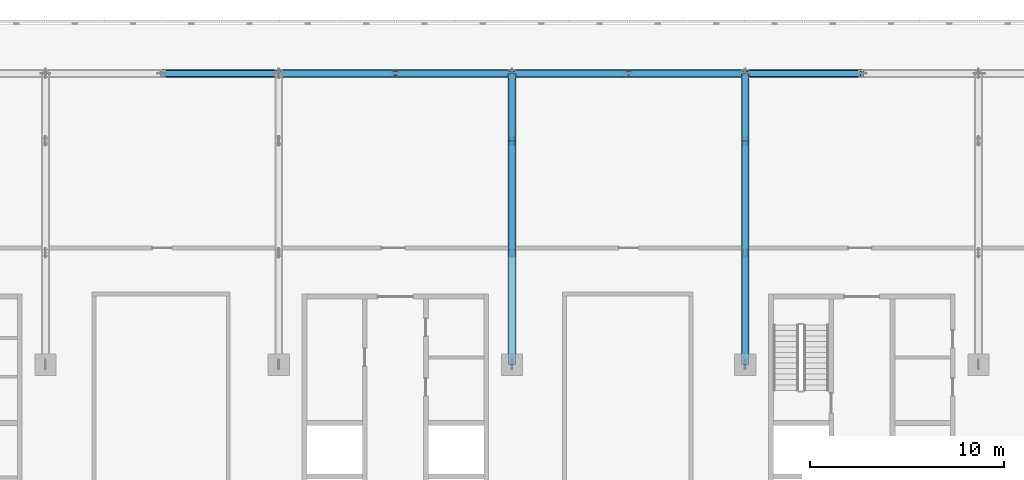
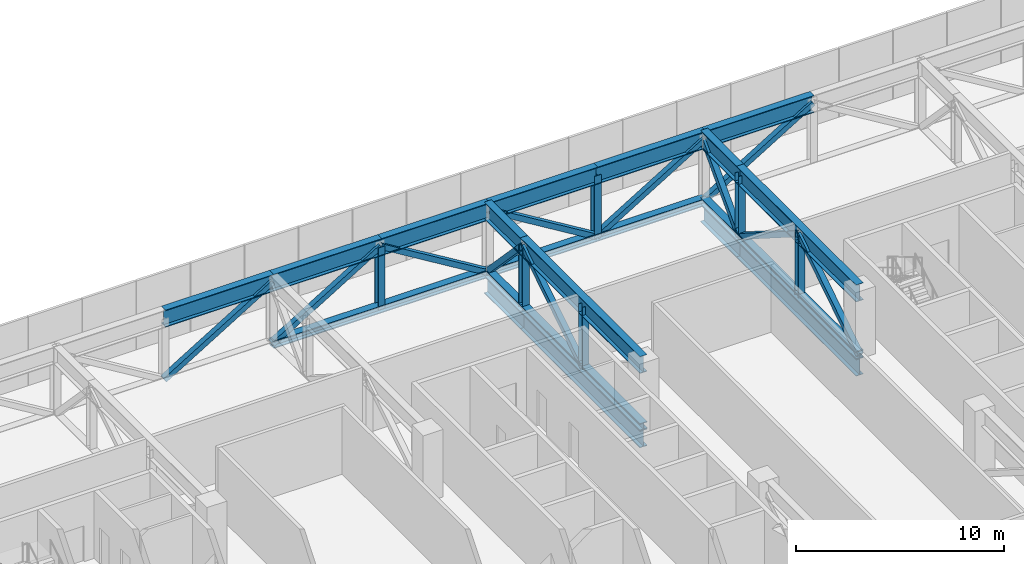
# One storey, part 9 of 28: 33 members, 4 beams.
"""IFC4 building model written with IfcOpenShell, lengths in metres."""

import ifcopenshell
import ifcopenshell.guid

model = None  # the IFC model being written
_history = None  # IfcOwnerHistory: only IFC2X3 demands one
_inside = {}  # id of a spatial element -> (the spatial element, [elements in it])
_under = {}  # id of a project, library or spatial element -> (it, [spatial elements below it])
_declared = {}  # id of a project -> (the project, [libraries it declares])
_typed = {}  # id of a type object -> (the type object, [elements of that type])
_made_of = {}  # id of a material, layer set ... -> (it, [elements and type objects made of it])


def new_model(schema):
    """Start an empty IFC model of exactly this schema.

    Asked for "IFC4X3", IfcOpenShell would pick the latest addendum, in which some entities
    have other attributes; the version numbers below select the first issue.
    IFC2X3 requires an IfcOwnerHistory on every rooted entity: one is made here for all.
    """
    global model, _history
    if schema == "IFC4X3":
        model = ifcopenshell.file(schema_version=(4, 3, 0, 0))
    else:
        model = ifcopenshell.file(schema=schema)
    _inside.clear()
    _under.clear()
    _declared.clear()
    _typed.clear()
    _made_of.clear()
    _history = None
    if model.schema == "IFC2X3":
        org = make("IfcOrganization", Name="unknown")
        user = make(
            "IfcPersonAndOrganization",
            ThePerson=make("IfcPerson", FamilyName="unknown"),
            TheOrganization=org,
        )
        app = make(
            "IfcApplication",
            ApplicationDeveloper=org,
            Version="unknown",
            ApplicationFullName="unknown",
            ApplicationIdentifier="unknown",
        )
        _history = make(
            "IfcOwnerHistory",
            OwningUser=user,
            OwningApplication=app,
            ChangeAction="ADDED",
            CreationDate=0,
        )
    return model


def make(cls, **values):
    """One entity of the class cls with the attributes given. An attribute that is None is left unset."""
    return model.create_entity(
        cls, **{name: value for name, value in values.items() if value is not None}
    )


def rooted(cls, **values):
    """An entity with a GlobalId (a new one), such as an element, a storey or a relation."""
    return make(cls, GlobalId=ifcopenshell.guid.new(), OwnerHistory=_history, **values)


def si_unit(unit_type, name, prefix=None):
    """IfcSIUnit, for example si_unit("LENGTHUNIT", "METRE", prefix="MILLI")."""
    return make("IfcSIUnit", UnitType=unit_type, Prefix=prefix, Name=name)


def assignment(units):
    """IfcUnitAssignment: the units of a project."""
    return None if units is None else make("IfcUnitAssignment", Units=units)


def point(xyz):
    """IfcCartesianPoint."""
    return None if xyz is None else make("IfcCartesianPoint", Coordinates=xyz)


def direction(xyz):
    """IfcDirection."""
    return None if xyz is None else make("IfcDirection", DirectionRatios=xyz)


def frame(location, z_axis=None, x_axis=None):
    """IfcAxis2Placement3D, a coordinate frame: its origin and axes. An axis left out is left unset."""
    return make(
        "IfcAxis2Placement3D",
        Location=point(location),
        Axis=direction(z_axis),
        RefDirection=direction(x_axis),
    )


def frame_2d(location, x_axis=None):
    """IfcAxis2Placement2D, a coordinate frame in the plane: its origin and x axis."""
    return make(
        "IfcAxis2Placement2D", Location=point(location), RefDirection=direction(x_axis)
    )


def origin():
    """The frame at (0, 0, 0) with its axes left unset."""
    return frame((0.0, 0.0, 0.0))


def origin_2d():
    """The frame at (0, 0) in the plane with its x axis left unset."""
    return frame_2d((0.0, 0.0))


def place(relative_to, where):
    """IfcLocalPlacement: puts the frame where relative to a parent placement (None: the world)."""
    return make(
        "IfcLocalPlacement", PlacementRelTo=relative_to, RelativePlacement=where
    )


def context(
    kind, dimensions, precision=None, world=None, true_north=None, identifier=None
):
    """IfcGeometricRepresentationContext, for example the 3D "Model" context."""
    return make(
        "IfcGeometricRepresentationContext",
        ContextIdentifier=identifier,
        ContextType=kind,
        CoordinateSpaceDimension=dimensions,
        Precision=precision,
        WorldCoordinateSystem=world,
        TrueNorth=true_north,
    )


def subcontext(parent, identifier, kind, view, scale=None):
    """IfcGeometricRepresentationSubContext, for example "Body" below "Model"."""
    return make(
        "IfcGeometricRepresentationSubContext",
        ContextIdentifier=identifier,
        ContextType=kind,
        ParentContext=parent,
        TargetScale=scale,
        TargetView=view,
    )


def project(units=None, contexts=None):
    """IfcProject with its units and contexts."""
    return rooted(
        "IfcProject",
        Name="project",
        RepresentationContexts=contexts,
        UnitsInContext=assignment(units),
    )


def spatial(cls, under=None, at=None, **own):
    """A site, building, storey or space (cls), placed at a placement, below another one or the project."""
    s = rooted(cls, ObjectPlacement=at, **own)
    if under is not None:
        _under.setdefault(under.id(), (under, []))[1].append(s)
    return s


def profile(cls, at=None, kind="AREA", **sizes):
    """A parametric profile (cls). Its sizes go by their IFC names, for example OverallWidth=200.0."""
    return make(cls, ProfileType=kind, Position=at, **sizes)


def hollow_rectangle(**sizes):
    """IfcRectangleHollowProfileDef."""
    return profile("IfcRectangleHollowProfileDef", **sizes)


def i_section(**sizes):
    """IfcIShapeProfileDef."""
    return profile("IfcIShapeProfileDef", **sizes)


def extrude(swept, where, along, depth):
    """IfcExtrudedAreaSolid: the profile swept, set in the frame where, extruded along a direction by depth."""
    return make(
        "IfcExtrudedAreaSolid",
        SweptArea=swept,
        Position=where,
        ExtrudedDirection=direction(along),
        Depth=depth,
    )


def shape(context_of_items, identifier, shape_type, items):
    """IfcShapeRepresentation: the items that make up one representation, for example the "Body"."""
    return make(
        "IfcShapeRepresentation",
        ContextOfItems=context_of_items,
        RepresentationIdentifier=identifier,
        RepresentationType=shape_type,
        Items=items,
    )


def material(Name=None, Category=None):
    """IfcMaterial."""
    return make("IfcMaterial", Name=Name, Category=Category)


def material_profile(
    of_material, cross_section, Name=None, Category=None, Priority=None
):
    """IfcMaterialProfile: a cross section and its material."""
    return make(
        "IfcMaterialProfile",
        Name=Name,
        Material=of_material,
        Profile=cross_section,
        Priority=Priority,
        Category=Category,
    )


def profile_set(profiles, Name=None, composite=None):
    """IfcMaterialProfileSet."""
    return make(
        "IfcMaterialProfileSet",
        Name=Name,
        MaterialProfiles=profiles,
        CompositeProfile=composite,
    )


def made_of(thing, what):
    """Note that an element or type object is made of a material, layer set ...; save() writes the relation."""
    if what is not None:
        _made_of.setdefault(what.id(), (what, []))[1].append(thing)
    return thing


def type_object(cls, material=None, **own):
    """A type object (cls), such as IfcWallType, which elements share."""
    return made_of(rooted(cls, **own), material)


def element(
    cls,
    number,
    at=None,
    inside=None,
    cuts=None,
    type_object=None,
    material=None,
    context=None,
    identifier="Body",
    shape_type=None,
    held_by="IfcProductDefinitionShape",
    body=None,
    shapes=None,
    **own,
):
    """One element of the class cls, such as IfcWall. Its Tag is "e" and its number.

    at: its placement. inside: the storey or other place that contains it. cuts: it is an
    opening in that element (IfcRelVoidsElement). A single representation is given by context,
    identifier, shape_type and body (its items); several are given by shapes. held_by: the class
    of the entity that holds the representations. save() writes the other relations.
    """
    e = rooted(cls, Tag="e%d" % number, ObjectPlacement=at, **own)
    if body is not None:
        shapes = [shape(context, identifier, shape_type, body)]
    if shapes is not None:
        e.Representation = make(held_by, Representations=shapes)
    if inside is not None:
        _inside.setdefault(inside.id(), (inside, []))[1].append(e)
    if cuts is not None:
        rooted(
            "IfcRelVoidsElement", RelatingBuildingElement=cuts, RelatedOpeningElement=e
        )
    if type_object is not None:
        _typed.setdefault(type_object.id(), (type_object, []))[1].append(e)
    return made_of(e, material)


def aggregate(whole, parts):
    """IfcRelAggregates: a whole, such as a stair, and the parts it consists of."""
    return rooted("IfcRelAggregates", RelatingObject=whole, RelatedObjects=parts)


def save(model, path):
    """Write the relations noted so far, then the file.

    IfcRelAggregates (storeys below a building ...), IfcRelContainedInSpatialStructure (elements
    in a storey), IfcRelDefinesByType, IfcRelAssociatesMaterial and IfcRelDeclares: one each for
    every whole, place, type object, material and project.
    """
    for whole, parts in _under.values():
        aggregate(whole, parts)
    for where, things in _inside.values():
        rooted(
            "IfcRelContainedInSpatialStructure",
            RelatedElements=things,
            RelatingStructure=where,
        )
    for kind, things in _typed.values():
        rooted("IfcRelDefinesByType", RelatedObjects=things, RelatingType=kind)
    for what, things in _made_of.values():
        rooted("IfcRelAssociatesMaterial", RelatedObjects=things, RelatingMaterial=what)
    for by, libraries in _declared.values():
        rooted("IfcRelDeclares", RelatingContext=by, RelatedDefinitions=libraries)
    model.write(path)


model = new_model("IFC4")

# Units and contexts
model_context = context("Model", 3, precision=1e-05, world=origin(), true_north=direction((0.0, 1.0)))
body_context = subcontext(model_context, "Body", "Model", "MODEL_VIEW")
ifc_project = project(units=[si_unit("LENGTHUNIT", "METRE"), si_unit("AREAUNIT", "SQUARE_METRE"), si_unit("VOLUMEUNIT", "CUBIC_METRE"), si_unit("PLANEANGLEUNIT", "RADIAN"), si_unit("MASSUNIT", "GRAM", prefix="KILO")], contexts=[model_context])

# Site, building, storey
site_placement = place(None, origin())
site = spatial("IfcSite", under=ifc_project, at=site_placement, CompositionType="ELEMENT")
building_placement = place(site_placement, origin())
building = spatial("IfcBuilding", under=site, at=building_placement, Name="Mahtab Terrace Research Tower", CompositionType="ELEMENT")
storey_placement = place(building_placement, frame((0.0, 0.0, 224.300048828125)))
storey = spatial("IfcBuildingStorey", under=building, at=storey_placement, Name="L54", CompositionType="ELEMENT", Elevation=224.300048828125)

# Members
ifc_material_1 = material(Name="Steel ASTM A500 Gr C", Category="steel")
ifc_material_profile_1 = material_profile(ifc_material_1, hollow_rectangle(XDim=0.3046875, YDim=0.3046875, WallThickness=0.0126953125, at=origin_2d()), Name="HSS12X12X1/2")
ifc_profile_set_1 = profile_set([ifc_material_profile_1], Name="Steel ASTM A500 Gr C")
member_type_1 = type_object("IfcMemberType", Name="HSS 12x12x1/2 brace TD121212", PredefinedType="BRACE", material=ifc_profile_set_1)
for number, where, z_axis, x_axis, name in (
    (1, (-12.0, 26.472900390625, -0.18798828125), (0.854496522168, 0.0, 0.519457114306), (0.0, 1.0, 0.0), "Transfer truss T6 diagonal 064"),
    (2, (-6.0, 26.472900390625, -0.18798828125), (0.854496522168, 0.0, 0.519457114306), (0.0, 1.0, 0.0), "Transfer truss T6 diagonal 068"),
):
    element("IfcMember", number, at=place(storey_placement, frame(where, z_axis=z_axis, x_axis=x_axis)), inside=storey, type_object=member_type_1, Name=name, PredefinedType="BRACE", context=body_context, shape_type="SweptSolid", body=[
        extrude(hollow_rectangle(XDim=0.3046875, YDim=0.3046875, WallThickness=0.0126953125, at=origin_2d()), origin(), (0.0, 0.0, 1.0), 7.021728515625),
    ])
member_1_placement = place(storey_placement, frame((6.0, 17.25, -0.18798828125), z_axis=(0.0, 0.844434215401, 0.535659272168), x_axis=(-1.0, 0.0, 0.0)))
element("IfcMember", 3, at=member_1_placement, inside=storey, type_object=member_type_1, Name="Transfer truss T6 diagonal 081", PredefinedType="BRACE", context=body_context, shape_type="SweptSolid", body=[
    extrude(hollow_rectangle(XDim=0.3046875, YDim=0.3046875, WallThickness=0.0126953125, at=origin_2d()), origin(), (0.0, 0.0, 1.0), 6.809326171875),
])
member_2_placement = place(storey_placement, frame((6.0, 26.472900390625, -0.18798828125), z_axis=(0.0, -0.689564383455, 0.724224385857), x_axis=(1.0, 0.0, 0.0)))
element("IfcMember", 4, at=member_2_placement, inside=storey, type_object=member_type_1, Name="Transfer truss T6 diagonal 082", PredefinedType="BRACE", context=body_context, shape_type="SweptSolid", body=[
    extrude(hollow_rectangle(XDim=0.3046875, YDim=0.3046875, WallThickness=0.0126953125, at=origin_2d()), origin(), (0.0, 0.0, 1.0), 5.036376953125),
])
for number, where, z_axis, x_axis, name in (
    (5, (6.0, 26.472900390625, -0.18798828125), (-0.854496522168, 0.0, 0.519457114306), (0.0, -1.0, 0.0), "Transfer truss T6 diagonal 083"),
    (6, (12.0, 26.472900390625, -0.18798828125), (-0.854496522168, 0.0, 0.519457114306), (0.0, -1.0, 0.0), "Transfer truss T6 diagonal 087"),
):
    element("IfcMember", number, at=place(storey_placement, frame(where, z_axis=z_axis, x_axis=x_axis)), inside=storey, type_object=member_type_1, Name=name, PredefinedType="BRACE", context=body_context, shape_type="SweptSolid", body=[
        extrude(hollow_rectangle(XDim=0.3046875, YDim=0.3046875, WallThickness=0.0126953125, at=origin_2d()), origin(), (0.0, 0.0, 1.0), 7.021728515625),
    ])
for number, where, z_axis, x_axis, name in (
    (7, (18.0, 11.5, -0.18798828125), (0.0, 0.844434215401, 0.535659272168), (-1.0, 0.0, 0.0), "Transfer truss T6 diagonal 099"),
    (8, (18.0, 23.0, -0.18798828125), (0.0, -0.844434215401, 0.535659272168), (1.0, 0.0, 0.0), "Transfer truss T6 diagonal 100"),
):
    element("IfcMember", number, at=place(storey_placement, frame(where, z_axis=z_axis, x_axis=x_axis)), inside=storey, type_object=member_type_1, Name=name, PredefinedType="BRACE", context=body_context, shape_type="SweptSolid", body=[
        extrude(hollow_rectangle(XDim=0.3046875, YDim=0.3046875, WallThickness=0.0126953125, at=origin_2d()), origin(), (0.0, 0.0, 1.0), 6.809326171875),
    ])
member_3_placement = place(storey_placement, frame((18.0, 23.0, -0.18798828125), z_axis=(0.0, 0.689564383455, 0.724224385857), x_axis=(-1.0, 0.0, 0.0)))
element("IfcMember", 9, at=member_3_placement, inside=storey, type_object=member_type_1, Name="Transfer truss T6 diagonal 101", PredefinedType="BRACE", context=body_context, shape_type="SweptSolid", body=[
    extrude(hollow_rectangle(XDim=0.3046875, YDim=0.3046875, WallThickness=0.0126953125, at=origin_2d()), origin(), (0.0, 0.0, 1.0), 5.036376953125),
])
for number, where, z_axis, x_axis, name in (
    (10, (12.0, 26.472900390625, -0.18798828125), (0.854496522168, 0.0, 0.519457114306), (0.0, 1.0, 0.0), "Transfer truss T6 diagonal 102"),
    (11, (18.0, 26.472900390625, -0.18798828125), (0.854496522168, 0.0, 0.519457114306), (0.0, 1.0, 0.0), "Transfer truss T6 diagonal 106"),
):
    element("IfcMember", number, at=place(storey_placement, frame(where, z_axis=z_axis, x_axis=x_axis)), inside=storey, type_object=member_type_1, Name=name, PredefinedType="BRACE", context=body_context, shape_type="SweptSolid", body=[
        extrude(hollow_rectangle(XDim=0.3046875, YDim=0.3046875, WallThickness=0.0126953125, at=origin_2d()), origin(), (0.0, 0.0, 1.0), 7.021728515625),
    ])
ifc_material_2 = material(Name="Steel ASTM A992 Gr 50", Category="steel")
ifc_material_profile_2 = material_profile(ifc_material_2, i_section(OverallWidth=0.373291015625, OverallDepth=0.373291015625, WebThickness=0.016357421875, FlangeThickness=0.026123046875, at=origin_2d()), Name="W14X132")
ifc_profile_set_2 = profile_set([ifc_material_profile_2], Name="Steel ASTM A992 Gr 50")
member_type_2 = type_object("IfcMemberType", Name="W14x132 post TP14132", PredefinedType="POST", material=ifc_profile_set_2)
for number, where, z_axis, x_axis, name in (
    (12, (0.0, 26.469970703125, -0.18798828125), (0.0, 0.0, 1.0), (1.0, 0.0, 0.0), "Transfer truss T6 post 062"),
    (13, (6.0, 17.25, -0.18798828125), (0.0, 0.0, 1.0), (1.0, 0.0, 0.0), "Transfer truss T6 post 073"),
    (14, (6.0, 23.0, -0.18798828125), (0.0, 0.0, 1.0), (1.0, 0.0, 0.0), "Transfer truss T6 post 074"),
    (15, (12.0, 26.469970703125, -0.18798828125), (0.0, 0.0, 1.0), (1.0, 0.0, 0.0), "Transfer truss T6 post 079"),
    (16, (18.0, 17.25, -0.18798828125), (0.0, 0.0, 1.0), (1.0, 0.0, 0.0), "Transfer truss T6 post 090"),
    (17, (18.0, 23.0, -0.18798828125), (0.0, 0.0, 1.0), (1.0, 0.0, 0.0), "Transfer truss T6 post 091"),
):
    element("IfcMember", number, at=place(storey_placement, frame(where, z_axis=z_axis, x_axis=x_axis)), inside=storey, type_object=member_type_2, Name=name, PredefinedType="POST", context=body_context, shape_type="SweptSolid", body=[
        extrude(i_section(OverallWidth=0.373291015625, OverallDepth=0.373291015625, WebThickness=0.016357421875, FlangeThickness=0.026123046875, at=origin_2d()), origin(), (0.0, 0.0, 1.0), 3.6474609375),
    ])
ifc_material_profile_3 = material_profile(ifc_material_2, i_section(OverallWidth=0.408935546875, OverallDepth=0.42431640625, WebThickness=0.03271484375, FlangeThickness=0.052490234375, at=origin_2d()), Name="W14X283")
ifc_profile_set_3 = profile_set([ifc_material_profile_3], Name="Steel ASTM A992 Gr 50")
member_type_3 = type_object("IfcMemberType", Name="W14x283 chord TC14283", PredefinedType="CHORD", material=ifc_profile_set_3)
for number, where, z_axis, x_axis, name in (
    (18, (18.0, 26.472900390625, -0.18798828125), (-1.0, 0.0, 0.0), (0.0, -1.0, 0.0), "Transfer truss T6 bottom chord 035"),
    (19, (6.0, 26.472900390625, -0.18798828125), (-1.0, 0.0, 0.0), (0.0, -1.0, 0.0), "Transfer truss T6 bottom chord 036"),
):
    element("IfcMember", number, at=place(storey_placement, frame(where, z_axis=z_axis, x_axis=x_axis)), inside=storey, type_object=member_type_3, Name=name, PredefinedType="CHORD", context=body_context, shape_type="SweptSolid", body=[
        extrude(i_section(OverallWidth=0.408935546875, OverallDepth=0.42431640625, WebThickness=0.03271484375, FlangeThickness=0.052490234375, at=origin_2d()), origin(), (0.0, 0.0, 1.0), 12.0),
    ])
member_4_placement = place(storey_placement, frame((6.0, 11.5, -0.18798828125), z_axis=(0.0, 1.0, 0.0), x_axis=(-1.0, 0.0, 0.0)))
element("IfcMember", 20, at=member_4_placement, inside=storey, type_object=member_type_3, Name="Transfer truss T6 bottom chord 052", PredefinedType="CHORD", context=body_context, shape_type="SweptSolid", body=[
    extrude(i_section(OverallWidth=0.408935546875, OverallDepth=0.42431640625, WebThickness=0.03271484375, FlangeThickness=0.052490234375, at=origin_2d()), origin(), (0.0, 0.0, 1.0), 11.5),
])
member_5_placement = place(storey_placement, frame((6.0, 23.0, -0.18798828125), z_axis=(0.0, 1.0, 0.0), x_axis=(-1.0, 0.0, 0.0)))
element("IfcMember", 21, at=member_5_placement, inside=storey, type_object=member_type_3, Name="Transfer truss T6 bottom chord 053", PredefinedType="CHORD", context=body_context, shape_type="SweptSolid", body=[
    extrude(i_section(OverallWidth=0.408935546875, OverallDepth=0.42431640625, WebThickness=0.03271484375, FlangeThickness=0.052490234375, at=origin_2d()), origin(), (0.0, 0.0, 1.0), 3.472900390625),
])
member_6_placement = place(storey_placement, frame((18.0, 11.5, -0.18798828125), z_axis=(0.0, 1.0, 0.0), x_axis=(-1.0, 0.0, 0.0)))
element("IfcMember", 22, at=member_6_placement, inside=storey, type_object=member_type_3, Name="Transfer truss T6 bottom chord 057", PredefinedType="CHORD", context=body_context, shape_type="SweptSolid", body=[
    extrude(i_section(OverallWidth=0.408935546875, OverallDepth=0.42431640625, WebThickness=0.03271484375, FlangeThickness=0.052490234375, at=origin_2d()), origin(), (0.0, 0.0, 1.0), 11.5),
])
member_7_placement = place(storey_placement, frame((18.0, 23.0, -0.18798828125), z_axis=(0.0, 1.0, 0.0), x_axis=(-1.0, 0.0, 0.0)))
element("IfcMember", 23, at=member_7_placement, inside=storey, type_object=member_type_3, Name="Transfer truss T6 bottom chord 058", PredefinedType="CHORD", context=body_context, shape_type="SweptSolid", body=[
    extrude(i_section(OverallWidth=0.408935546875, OverallDepth=0.42431640625, WebThickness=0.03271484375, FlangeThickness=0.052490234375, at=origin_2d()), origin(), (0.0, 0.0, 1.0), 3.472900390625),
])
ifc_material_profile_4 = material_profile(ifc_material_2, i_section(OverallWidth=0.4013671875, OverallDepth=1.000732421875, WebThickness=0.01904296875, FlangeThickness=0.0361328125, at=origin_2d()), Name="W40X249")
ifc_profile_set_4 = profile_set([ifc_material_profile_4], Name="Steel ASTM A992 Gr 50")
member_type_4 = type_object("IfcMemberType", Name="W40x249 chord TT40249", PredefinedType="CHORD", material=ifc_profile_set_4)
for number, where, z_axis, x_axis, name in (
    (24, (24.0, 26.472900390625, 3.45947265625), (-1.0, 0.0, 0.0), (0.0, -1.0, 0.0), "Transfer truss T6 top chord 053"),
    (25, (18.0, 26.472900390625, 3.45947265625), (-1.0, 0.0, 0.0), (0.0, -1.0, 0.0), "Transfer truss T6 top chord 054"),
    (26, (12.0, 26.472900390625, 3.45947265625), (-1.0, 0.0, 0.0), (0.0, -1.0, 0.0), "Transfer truss T6 top chord 055"),
    (27, (6.0, 26.472900390625, 3.45947265625), (-1.0, 0.0, 0.0), (0.0, -1.0, 0.0), "Transfer truss T6 top chord 056"),
    (28, (0.0, 26.472900390625, 3.45947265625), (-1.0, 0.0, 0.0), (0.0, -1.0, 0.0), "Transfer truss T6 top chord 057"),
    (29, (-6.0, 26.472900390625, 3.45947265625), (-1.0, 0.0, 0.0), (0.0, -1.0, 0.0), "Transfer truss T6 top chord 058"),
):
    element("IfcMember", number, at=place(storey_placement, frame(where, z_axis=z_axis, x_axis=x_axis)), inside=storey, type_object=member_type_4, Name=name, PredefinedType="CHORD", context=body_context, shape_type="SweptSolid", body=[
        extrude(i_section(OverallWidth=0.4013671875, OverallDepth=1.000732421875, WebThickness=0.01904296875, FlangeThickness=0.0361328125, at=origin_2d()), origin(), (0.0, 0.0, 1.0), 6.0),
    ])
member_8_placement = place(storey_placement, frame((6.0, 11.5, 3.45947265625), z_axis=(0.0, 1.0, 0.0), x_axis=(-1.0, 0.0, 0.0)))
element("IfcMember", 30, at=member_8_placement, inside=storey, type_object=member_type_4, Name="Transfer truss T6 top chord 075", PredefinedType="CHORD", context=body_context, shape_type="SweptSolid", body=[
    extrude(i_section(OverallWidth=0.4013671875, OverallDepth=1.000732421875, WebThickness=0.01904296875, FlangeThickness=0.0361328125, at=origin_2d()), origin(), (0.0, 0.0, 1.0), 11.5),
])
member_9_placement = place(storey_placement, frame((6.0, 23.0, 3.45947265625), z_axis=(0.0, 1.0, 0.0), x_axis=(-1.0, 0.0, 0.0)))
element("IfcMember", 31, at=member_9_placement, inside=storey, type_object=member_type_4, Name="Transfer truss T6 top chord 076", PredefinedType="CHORD", context=body_context, shape_type="SweptSolid", body=[
    extrude(i_section(OverallWidth=0.4013671875, OverallDepth=1.000732421875, WebThickness=0.01904296875, FlangeThickness=0.0361328125, at=origin_2d()), origin(), (0.0, 0.0, 1.0), 3.472900390625),
])
member_10_placement = place(storey_placement, frame((18.0, 11.5, 3.45947265625), z_axis=(0.0, 1.0, 0.0), x_axis=(-1.0, 0.0, 0.0)))
element("IfcMember", 32, at=member_10_placement, inside=storey, type_object=member_type_4, Name="Transfer truss T6 top chord 080", PredefinedType="CHORD", context=body_context, shape_type="SweptSolid", body=[
    extrude(i_section(OverallWidth=0.4013671875, OverallDepth=1.000732421875, WebThickness=0.01904296875, FlangeThickness=0.0361328125, at=origin_2d()), origin(), (0.0, 0.0, 1.0), 11.5),
])
member_11_placement = place(storey_placement, frame((18.0, 23.0, 3.45947265625), z_axis=(0.0, 1.0, 0.0), x_axis=(-1.0, 0.0, 0.0)))
element("IfcMember", 33, at=member_11_placement, inside=storey, type_object=member_type_4, Name="Transfer truss T6 top chord 081", PredefinedType="CHORD", context=body_context, shape_type="SweptSolid", body=[
    extrude(i_section(OverallWidth=0.4013671875, OverallDepth=1.000732421875, WebThickness=0.01904296875, FlangeThickness=0.0361328125, at=origin_2d()), origin(), (0.0, 0.0, 1.0), 3.472900390625),
])

# Beams
ifc_material_profile_5 = material_profile(ifc_material_2, i_section(OverallWidth=0.4013671875, OverallDepth=1.000732421875, WebThickness=0.01904296875, FlangeThickness=0.0361328125, at=origin_2d()), Name="W40X249")
ifc_profile_set_5 = profile_set([ifc_material_profile_5], Name="Steel ASTM A992 Gr 50")
beam_type = type_object("IfcBeamType", Name="W40x249 transfer girder TG40249", PredefinedType="BEAM", material=ifc_profile_set_5)
beam_1_placement = place(storey_placement, frame((18.0, 11.5, -0.8984375), z_axis=(0.0, 1.0, 0.0), x_axis=(-1.0, 0.0, 0.0)))
element("IfcBeam", 34, at=beam_1_placement, inside=storey, type_object=beam_type, Name="Transfer girder T6 05", PredefinedType="BEAM", context=body_context, shape_type="SweptSolid", body=[
    extrude(i_section(OverallWidth=0.4013671875, OverallDepth=1.000732421875, WebThickness=0.01904296875, FlangeThickness=0.0361328125, at=origin_2d()), origin(), (0.0, 0.0, 1.0), 11.5),
])
beam_2_placement = place(storey_placement, frame((18.0, 23.0, -0.8984375), z_axis=(0.0, 1.0, 0.0), x_axis=(-1.0, 0.0, 0.0)))
element("IfcBeam", 35, at=beam_2_placement, inside=storey, type_object=beam_type, Name="Transfer girder T6 06", PredefinedType="BEAM", context=body_context, shape_type="SweptSolid", body=[
    extrude(i_section(OverallWidth=0.4013671875, OverallDepth=1.000732421875, WebThickness=0.01904296875, FlangeThickness=0.0361328125, at=origin_2d()), origin(), (0.0, 0.0, 1.0), 3.472900390625),
])
beam_3_placement = place(storey_placement, frame((6.0, 11.5, -0.8984375), z_axis=(0.0, 1.0, 0.0), x_axis=(-1.0, 0.0, 0.0)))
element("IfcBeam", 36, at=beam_3_placement, inside=storey, type_object=beam_type, Name="Transfer girder T6 07", PredefinedType="BEAM", context=body_context, shape_type="SweptSolid", body=[
    extrude(i_section(OverallWidth=0.4013671875, OverallDepth=1.000732421875, WebThickness=0.01904296875, FlangeThickness=0.0361328125, at=origin_2d()), origin(), (0.0, 0.0, 1.0), 11.5),
])
beam_4_placement = place(storey_placement, frame((6.0, 23.0, -0.8984375), z_axis=(0.0, 1.0, 0.0), x_axis=(-1.0, 0.0, 0.0)))
element("IfcBeam", 37, at=beam_4_placement, inside=storey, type_object=beam_type, Name="Transfer girder T6 08", PredefinedType="BEAM", context=body_context, shape_type="SweptSolid", body=[
    extrude(i_section(OverallWidth=0.4013671875, OverallDepth=1.000732421875, WebThickness=0.01904296875, FlangeThickness=0.0361328125, at=origin_2d()), origin(), (0.0, 0.0, 1.0), 3.472900390625),
])

save(model, "model.ifc")
